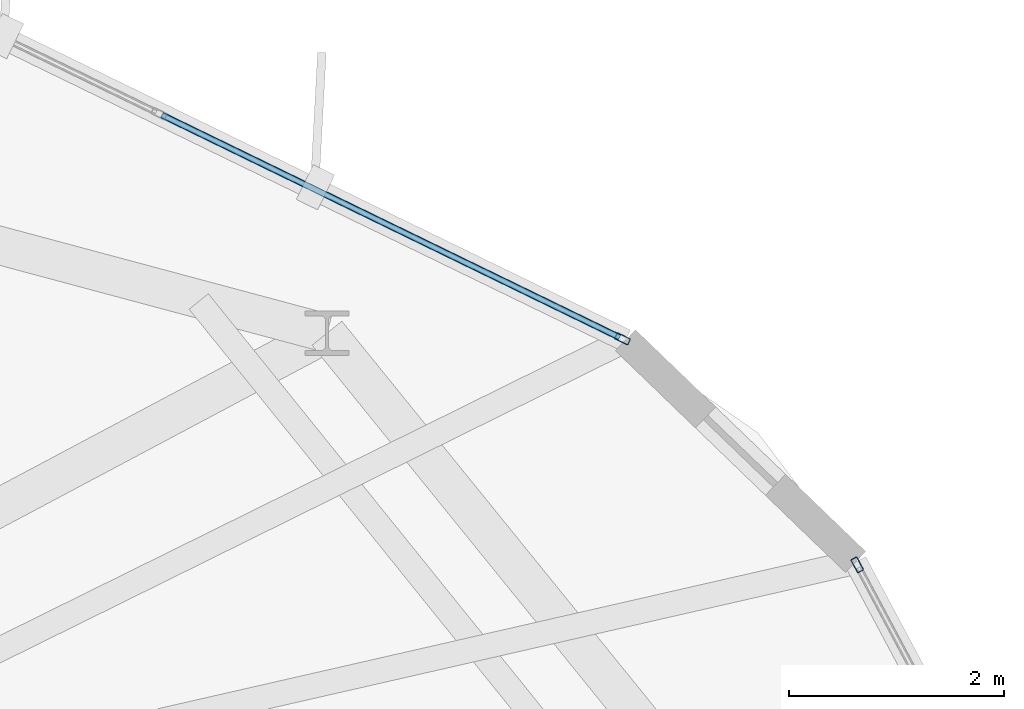
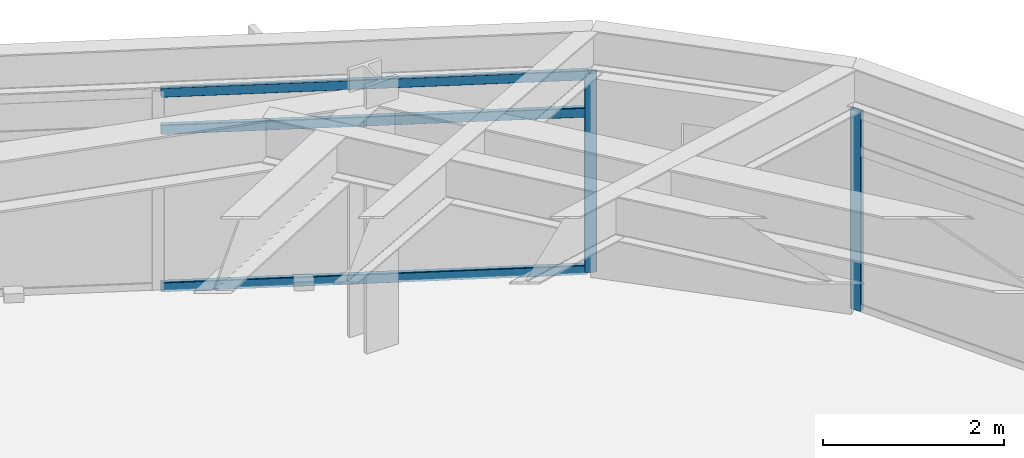
# One storey, part 21 of 28: 5 members, 2 elements without a shape of their own.
"""IFC4 building model written with IfcOpenShell, lengths in metres."""

from ifc_helpers import new_model, si_unit, direction, frame, origin, origin_2d, place, context, subcontext, project, spatial, hollow_rectangle, extrude, material, layer, layer_set, material_profile, profile_set, type_object, element, aggregate, save


model = new_model("IFC4")

# Units and contexts
model_context = context("Model", 3, precision=1e-05, world=origin(), true_north=direction((0.0, 1.0)))
body_context = subcontext(model_context, "Body", "Model", "MODEL_VIEW")
ifc_project = project(units=[si_unit("LENGTHUNIT", "METRE"), si_unit("AREAUNIT", "SQUARE_METRE"), si_unit("VOLUMEUNIT", "CUBIC_METRE"), si_unit("PLANEANGLEUNIT", "RADIAN"), si_unit("MASSUNIT", "GRAM", prefix="KILO")], contexts=[model_context])

# Site, building, storey
site_placement = place(None, origin())
site = spatial("IfcSite", under=ifc_project, at=site_placement, CompositionType="ELEMENT")
building_placement = place(site_placement, origin())
building = spatial("IfcBuilding", under=site, at=building_placement, Name="Soratama Intermodal Tower", CompositionType="ELEMENT")
storey_placement = place(building_placement, frame((0.0, 0.0, 205.0)))
storey = spatial("IfcBuildingStorey", under=building, at=storey_placement, Name="L51", CompositionType="ELEMENT", Elevation=205.0)

# Curtain wall, member
ifc_material_1 = material(Name="Double-glazed aluminium curtain wall", Category="aluminium")
ifc_layer = layer(ifc_material_1, 0.159912109375)
ifc_layer_set = layer_set([ifc_layer], Name="Double-glazed aluminium curtain wall")
curtain_wall_type = type_object("IfcCurtainWallType", Name="CW-SYS-5", PredefinedType="NOTDEFINED", material=ifc_layer_set)
curtain_wall_1_placement = place(storey_placement, origin())
curtain_wall_1 = element("IfcCurtainWall", 1, at=curtain_wall_1_placement, inside=storey, type_object=curtain_wall_type, Name="L51 Faceted Curtain Wall F01", PredefinedType="NOTDEFINED")
ifc_material_2 = material(Name="Anodised aluminium AA 6063-T6", Category="aluminium")
ifc_material_profile_1 = material_profile(ifc_material_2, hollow_rectangle(XDim=0.06494140625, YDim=0.139892578125, WallThickness=0.0048828125, InnerFilletRadius=0.0048828125, OuterFilletRadius=0.010009765625, at=origin_2d()), Name="CWM140X65X5")
ifc_profile_set_1 = profile_set([ifc_material_profile_1], Name="Anodised aluminium AA 6063-T6")
member_type_1 = type_object("IfcMemberType", Name="MT-CWM-5", PredefinedType="MULLION", material=ifc_profile_set_1)
member_1_placement = place(storey_placement, frame((57.872802734375, 40.547119140625, 0.0), z_axis=(0.0, 0.0, 1.0), x_axis=(-0.437110527293, -0.899407797904, 0.0)))
member_1 = element("IfcMember", 2, at=member_1_placement, type_object=member_type_1, Name="CW-5 mullion 1", PredefinedType="MULLION", context=body_context, shape_type="SweptSolid", body=[
    extrude(hollow_rectangle(XDim=0.06494140625, YDim=0.139892578125, WallThickness=0.0048828125, InnerFilletRadius=0.0048828125, OuterFilletRadius=0.010009765625, at=origin_2d()), origin(), (0.0, 0.0, 1.0), 2.678955078125),
])

curtain_wall_2_placement = place(storey_placement, origin())
curtain_wall_2 = element("IfcCurtainWall", 3, at=curtain_wall_2_placement, inside=storey, type_object=curtain_wall_type, Name="L51 Faceted Curtain Wall F10", PredefinedType="NOTDEFINED")
member_2_placement = place(storey_placement, frame((60.05078125, 38.44970703125, 0.0), z_axis=(0.0, 0.0, 1.0), x_axis=(-0.882289942268, -0.47070633921, 0.0)))
member_2 = element("IfcMember", 4, at=member_2_placement, type_object=member_type_1, Name="CW-5 mullion 3", PredefinedType="MULLION", context=body_context, shape_type="SweptSolid", body=[
    extrude(hollow_rectangle(XDim=0.06494140625, YDim=0.139892578125, WallThickness=0.0048828125, InnerFilletRadius=0.0048828125, OuterFilletRadius=0.010009765625, at=origin_2d()), origin(), (0.0, 0.0, 1.0), 2.678955078125),
])
aggregate(curtain_wall_2, [member_2])

# Member
ifc_material_3 = material(Name="Anodised aluminium AA 6063-T6", Category="aluminium")
ifc_material_profile_2 = material_profile(ifc_material_3, hollow_rectangle(XDim=0.06005859375, YDim=0.1298828125, WallThickness=0.0048828125, InnerFilletRadius=0.0048828125, OuterFilletRadius=0.010009765625, at=origin_2d()), Name="CWT130X60X5")
ifc_profile_set_2 = profile_set([ifc_material_profile_2], Name="Anodised aluminium AA 6063-T6")
member_type_2 = type_object("IfcMemberType", Name="TT-CWT-2", PredefinedType="USERDEFINED", material=ifc_profile_set_2)
member_3_placement = place(storey_placement, frame((57.845947265625, 40.56005859375, 0.030029296875), z_axis=(-0.899396086715, 0.437134623659, 0.0), x_axis=(-0.437134623659, -0.899396086715, 0.0)))
member_3 = element("IfcMember", 5, at=member_3_placement, type_object=member_type_2, Name="CW-5 transom 1.1", ObjectType="TRANSOM", PredefinedType="USERDEFINED", context=body_context, shape_type="SweptSolid", body=[
    extrude(hollow_rectangle(XDim=0.06005859375, YDim=0.1298828125, WallThickness=0.0048828125, InnerFilletRadius=0.0048828125, OuterFilletRadius=0.010009765625, at=origin_2d()), origin(), (0.0, 0.0, 1.0), 4.72216796875),
])

member_4_placement = place(storey_placement, frame((57.845947265625, 40.56005859375, 2.14990234375), z_axis=(-0.899396086715, 0.437134623659, 0.0), x_axis=(-0.437134623659, -0.899396086715, 0.0)))
member_4 = element("IfcMember", 6, at=member_4_placement, type_object=member_type_2, Name="CW-5 transom 1.2", ObjectType="TRANSOM", PredefinedType="USERDEFINED", context=body_context, shape_type="SweptSolid", body=[
    extrude(hollow_rectangle(XDim=0.06005859375, YDim=0.1298828125, WallThickness=0.0048828125, InnerFilletRadius=0.0048828125, OuterFilletRadius=0.010009765625, at=origin_2d()), origin(), (0.0, 0.0, 1.0), 4.72216796875),
])

member_5_placement = place(storey_placement, frame((57.845947265625, 40.56005859375, 2.64892578125), z_axis=(-0.899396086715, 0.437134623659, 0.0), x_axis=(-0.437134623659, -0.899396086715, 0.0)))
member_5 = element("IfcMember", 7, at=member_5_placement, type_object=member_type_2, Name="CW-5 transom 1.3", ObjectType="TRANSOM", PredefinedType="USERDEFINED", context=body_context, shape_type="SweptSolid", body=[
    extrude(hollow_rectangle(XDim=0.06005859375, YDim=0.1298828125, WallThickness=0.0048828125, InnerFilletRadius=0.0048828125, OuterFilletRadius=0.010009765625, at=origin_2d()), origin(), (0.0, 0.0, 1.0), 4.72216796875),
])

aggregate(curtain_wall_1, [member_1, member_3, member_4, member_5])

save(model, "model.ifc")
